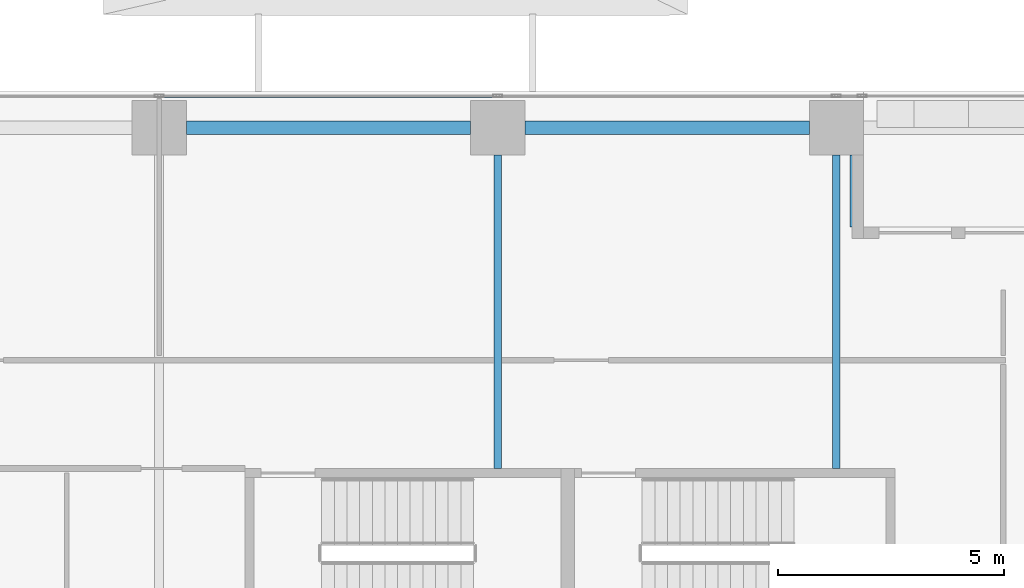
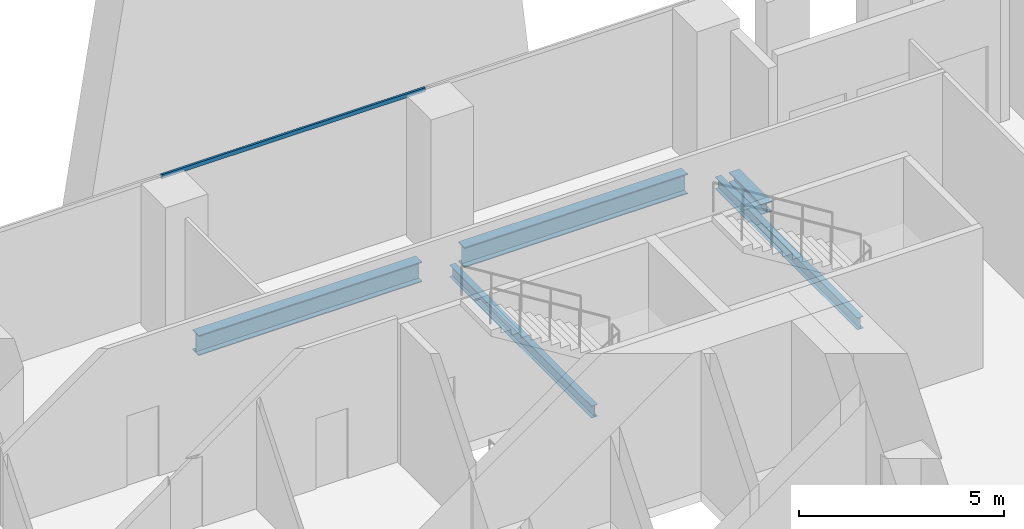
# One storey, part 14 of 34: 5 beams, 1 member, 1 element without a shape of its own.
"""IFC4 building model written with IfcOpenShell, lengths in metres."""

from ifc_helpers import new_model, si_unit, direction, frame, origin, origin_2d, place, context, subcontext, project, spatial, hollow_rectangle, i_section, extrude, source, transform, mapped, material, material_profile, profile_set, type_object, element, aggregate, save


model = new_model("IFC4")

# Units and contexts
model_context = context("Model", 3, precision=1e-05, world=origin(), true_north=direction((0.0, 1.0)))
body_context = subcontext(model_context, "Body", "Model", "MODEL_VIEW")
ifc_project = project(units=[si_unit("LENGTHUNIT", "METRE"), si_unit("AREAUNIT", "SQUARE_METRE"), si_unit("VOLUMEUNIT", "CUBIC_METRE"), si_unit("PLANEANGLEUNIT", "RADIAN"), si_unit("MASSUNIT", "GRAM", prefix="KILO")], contexts=[model_context])

# Site, building, storey
site_placement = place(None, origin())
site = spatial("IfcSite", under=ifc_project, at=site_placement, CompositionType="ELEMENT")
building_placement = place(site_placement, origin())
building = spatial("IfcBuilding", under=site, at=building_placement, Name="Khomas Fold Tower", CompositionType="ELEMENT")
storey_placement = place(building_placement, frame((0.0, 0.0, 51.0)))
storey = spatial("IfcBuildingStorey", under=building, at=storey_placement, Name="L10", CompositionType="ELEMENT", Elevation=51.0)

# Beams
ifc_material_1 = material(Name="Steel S355", Category="steel")
ifc_material_profile_1 = material_profile(ifc_material_1, i_section(OverallWidth=0.169921875, OverallDepth=0.360107421875, WebThickness=0.008056640625, FlangeThickness=0.0126953125, at=origin_2d()), Name="IPE 360")
ifc_profile_set_1 = profile_set([ifc_material_profile_1], Name="Steel S355")
beam_type_1 = type_object("IfcBeamType", Name="IPE 360 beam JB2", PredefinedType="BEAM", material=ifc_profile_set_1)
shared_shape_1 = source(origin(), body_context, "Body", "SweptSolid", [
    extrude(i_section(OverallWidth=0.169921875, OverallDepth=0.360107421875, WebThickness=0.008056640625, FlangeThickness=0.0126953125, at=origin_2d()), origin(), (0.0, 0.0, 1.0), 6.9501953125),
])
for number, where, z_axis, x_axis, name in (
    (1, (19.5, 45.64990234375, -0.47998046875), (0.0, 1.0, 0.0), (-1.0, 0.0, 0.0), "JB2"),
    (2, (27.0, 45.64990234375, -0.47998046875), (0.0, 1.0, 0.0), (-1.0, 0.0, 0.0), "JB2"),
):
    element("IfcBeam", number, at=place(storey_placement, frame(where, z_axis=z_axis, x_axis=x_axis)), inside=storey, type_object=beam_type_1, Name=name, PredefinedType="BEAM", context=body_context, shape_type="MappedRepresentation", body=[
        mapped(shared_shape_1, transform((0.0, 0.0, 0.0))),
    ])
ifc_material_2 = material(Name="Steel S355", Category="steel")
ifc_material_profile_2 = material_profile(ifc_material_2, i_section(OverallWidth=0.300048828125, OverallDepth=0.60009765625, WebThickness=0.015380859375, FlangeThickness=0.030029296875, at=origin_2d()), Name="HE 600 B")
ifc_profile_set_2 = profile_set([ifc_material_profile_2], Name="Steel S355")
beam_type_2 = type_object("IfcBeamType", Name="HE 600 B spandrel SB1", PredefinedType="SPANDREL", material=ifc_profile_set_2)
shared_shape_2 = source(origin(), body_context, "Body", "SweptSolid", [
    extrude(i_section(OverallWidth=0.300048828125, OverallDepth=0.60009765625, WebThickness=0.015380859375, FlangeThickness=0.030029296875, at=origin_2d()), origin(), (0.0, 0.0, 1.0), 6.2998046875),
])
for number, where, z_axis, x_axis, name in (
    (3, (20.10009765625, 53.199951171875, -0.60009765625), (1.0, 0.0, 0.0), (0.0, 1.0, 0.0), "SB1"),
    (4, (12.60009765625, 53.199951171875, -0.60009765625), (1.0, 0.0, 0.0), (0.0, 1.0, 0.0), "SB1"),
):
    element("IfcBeam", number, at=place(storey_placement, frame(where, z_axis=z_axis, x_axis=x_axis)), inside=storey, type_object=beam_type_2, Name=name, PredefinedType="SPANDREL", context=body_context, shape_type="MappedRepresentation", body=[
        mapped(shared_shape_2, transform((0.0, 0.0, 0.0))),
    ])
ifc_material_3 = material(Name="Steel S355", Category="steel")
ifc_material_profile_3 = material_profile(ifc_material_3, i_section(OverallWidth=0.300048828125, OverallDepth=0.300048828125, WebThickness=0.010986328125, FlangeThickness=0.01904296875, at=origin_2d()), Name="HE 300 B")
ifc_profile_set_3 = profile_set([ifc_material_profile_3], Name="Steel S355")
beam_type_3 = type_object("IfcBeamType", Name="HE 300 B beam BB1", PredefinedType="BEAM", material=ifc_profile_set_3)
shared_shape_3 = source(origin(), body_context, "Body", "SweptSolid", [
    extrude(i_section(OverallWidth=0.300048828125, OverallDepth=0.300048828125, WebThickness=0.010986328125, FlangeThickness=0.01904296875, at=origin_2d()), origin(), (0.0, 0.0, 1.0), 1.60009765625),
])
beam_placement = place(storey_placement, frame((27.449951171875, 51.0, -0.449951171875), z_axis=(0.0, 1.0, 0.0), x_axis=(-1.0, 0.0, 0.0)))
element("IfcBeam", 5, at=beam_placement, inside=storey, type_object=beam_type_3, Name="BB1", PredefinedType="BEAM", context=body_context, shape_type="MappedRepresentation", body=[
    mapped(shared_shape_3, transform((0.0, 0.0, 0.0))),
])

# Curtain wall, member
ifc_material_4 = material(Name="Aluminium framed double glazing", Category="aluminium")
curtain_wall_type = type_object("IfcCurtainWallType", Name="SK-Unitised clear-glass wall, growing floors CW1", PredefinedType="NOTDEFINED", material=ifc_material_4)
curtain_wall_placement = place(storey_placement, origin())
curtain_wall = element("IfcCurtainWall", 6, at=curtain_wall_placement, inside=storey, type_object=curtain_wall_type, Name="CW1 run L10 06-1", PredefinedType="NOTDEFINED")
ifc_material_5 = material(Name="Aluminium", Category="aluminium")
ifc_material_profile_4 = material_profile(ifc_material_5, hollow_rectangle(XDim=0.06005859375, YDim=0.1201171875, WallThickness=0.00390625, at=origin_2d()), Name="SK-Unitised clear-glass wall, growing floors transom CW1-T")
ifc_profile_set_4 = profile_set([ifc_material_profile_4], Name="Aluminium")
member_type = type_object("IfcMemberType", Name="SK-Unitised clear-glass wall, growing floors transom CW1-T", PredefinedType="USERDEFINED", material=ifc_profile_set_4)
shared_shape_4 = source(origin(), body_context, "Body", "SweptSolid", [
    extrude(hollow_rectangle(XDim=0.06005859375, YDim=0.1201171875, WallThickness=0.00390625, at=origin_2d()), origin(), (0.0, 0.0, 1.0), 7.43994140625),
])
member_placement = place(storey_placement, frame((19.469970703125, 53.89990234375, 4.139892578125), z_axis=(-1.0, 0.0, 0.0), x_axis=(0.0, -1.0, 0.0)))
member = element("IfcMember", 7, at=member_placement, type_object=member_type, Name="CW1 transom 3", ObjectType="TRANSOM", PredefinedType="USERDEFINED", context=body_context, shape_type="MappedRepresentation", body=[
    mapped(shared_shape_4, transform((0.0, 0.0, 0.0))),
])
aggregate(curtain_wall, [member])

save(model, "model.ifc")
